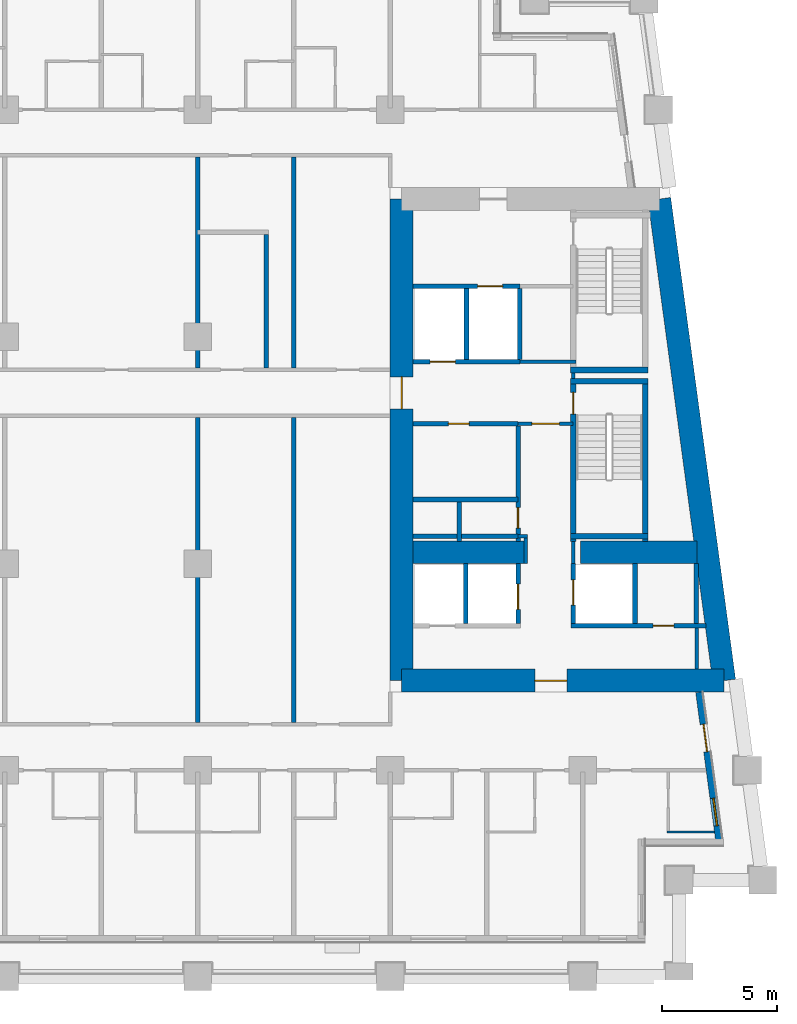
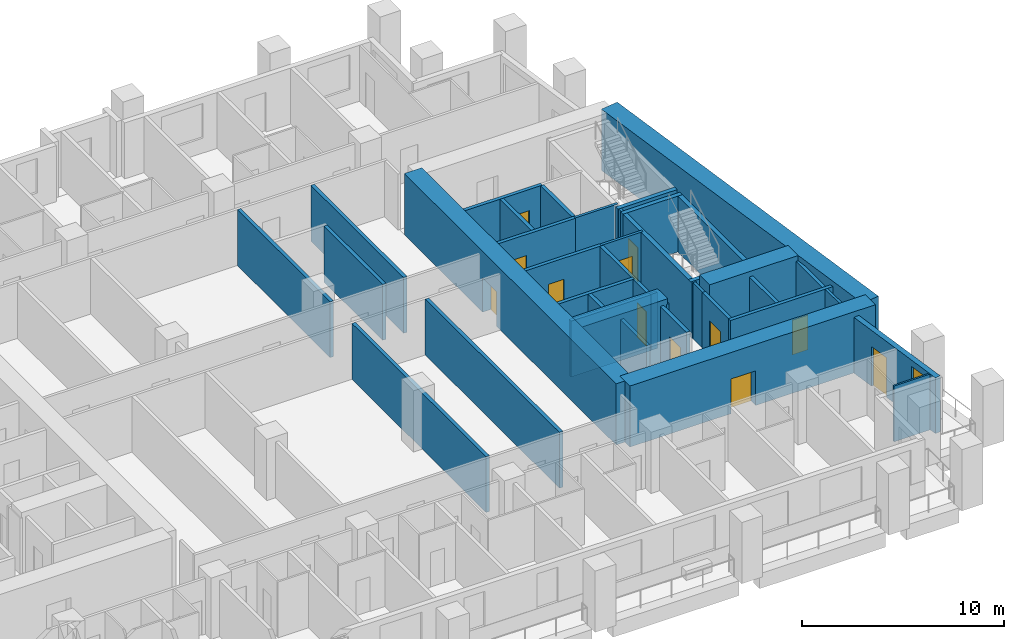
# One storey, part 6 of 14: 39 walls, 12 doors, 1 window, 13 openings.
"""IFC4 building model written with IfcOpenShell, lengths in metres."""

from ifc_helpers import new_model, si_unit, direction, frame, frame_2d, origin, place, context, subcontext, project, spatial, rectangle, extrude, material, layer, layer_set, type_object, element, fill, save


model = new_model("IFC4")

# Units and contexts
model_context = context("Model", 3, precision=1e-05, world=origin(), true_north=direction((0.0, 1.0)))
body_context = subcontext(model_context, "Body", "Model", "MODEL_VIEW")
ifc_project = project(units=[si_unit("LENGTHUNIT", "METRE"), si_unit("AREAUNIT", "SQUARE_METRE"), si_unit("VOLUMEUNIT", "CUBIC_METRE"), si_unit("PLANEANGLEUNIT", "RADIAN"), si_unit("MASSUNIT", "GRAM", prefix="KILO")], contexts=[model_context])

# Site, building, storey
site_placement = place(None, origin())
site = spatial("IfcSite", under=ifc_project, at=site_placement, CompositionType="ELEMENT")
building_placement = place(site_placement, origin())
building = spatial("IfcBuilding", under=site, at=building_placement, Name="Candeia Pilgrim Tower and Theatre", CompositionType="ELEMENT")
storey_placement = place(building_placement, frame((0.0, 0.0, 116.89990234375)))
storey = spatial("IfcBuildingStorey", under=building, at=storey_placement, Name="L27", CompositionType="ELEMENT", Elevation=116.89990234375)

# Wall
ifc_material_1 = material(Name="Concrete C70/85", Category="concrete")
ifc_layer_1 = layer(ifc_material_1, 1.0)
ifc_layer_set_1 = layer_set([ifc_layer_1], Name="Core wall 1000 C70/85")
wall_type_1 = type_object("IfcWallType", Name="Core wall 1000 C70/85", PredefinedType="SHEAR", material=ifc_layer_set_1)
wall_1_placement = place(storey_placement, frame((137.73193359375, 131.89990234375, 0.0), z_axis=(0.0, 0.0, 1.0), x_axis=(0.133411141623, -0.991060778808, 0.0)))
element("IfcWall", 1, at=wall_1_placement, inside=storey, type_object=wall_type_1, Name="Core wall E2", PredefinedType="SHEAR", context=body_context, shape_type="SweptSolid", body=[
    extrude(rectangle(XDim=21.189453125, YDim=1.0, at=frame_2d((10.5947265625, 0.0))), origin(), (0.0, 0.0, 1.0), 3.7001953125),
])

# Wall, opening, door
wall_2_placement = place(storey_placement, frame((140.558837890625, 110.89990234375, 0.0), z_axis=(0.0, 0.0, 1.0), x_axis=(-1.0, 0.0, 0.0)))
wall_2 = element("IfcWall", 2, at=wall_2_placement, inside=storey, type_object=wall_type_1, Name="Core wall E3", PredefinedType="SHEAR", context=body_context, shape_type="SweptSolid", body=[
    extrude(rectangle(XDim=14.058837890625, YDim=1.0, at=frame_2d((7.029296875, 0.0))), origin(), (0.0, 0.0, 1.0), 3.7001953125),
])
opening_1_placement = place(wall_2_placement, frame((6.857666015625, 0.0, 0.0)))
opening_1 = element("IfcOpeningElement", 3, at=opening_1_placement, cuts=wall_2, Name="Opening L27-D069", PredefinedType="OPENING", context=body_context, shape_type="SweptSolid", body=[
    extrude(rectangle(XDim=1.39990234375, YDim=2.10009765625, at=frame_2d((0.699951171875, 1.050048828125))), frame((0.0, 0.510009765625, 0.0), z_axis=(0.0, -1.0, 0.0), x_axis=(1.0, 0.0, 0.0)), (0.0, 0.0, 1.0), 1.02001953125),
])
ifc_material_2 = material(Name="Steel fire door set", Category="steel")
door_type_1 = type_object("IfcDoorType", Name="D-1400-FD60", OperationType="NOTDEFINED", PredefinedType="DOOR", material=ifc_material_2)
door_1_placement = place(opening_1_placement, origin())
door_1 = element("IfcDoor", 4, at=door_1_placement, inside=storey, type_object=door_type_1, Name="Door L27-D069", OperationType="SINGLE_SWING_RIGHT", OverallHeight=2.10009765625, OverallWidth=1.39990234375, PredefinedType="DOOR", context=body_context, shape_type="SweptSolid", body=[
    extrude(rectangle(XDim=1.39990234375, YDim=2.10009765625, at=frame_2d((0.699951171875, 1.050048828125))), frame((0.0, 0.02490234375, 0.0), z_axis=(0.0, -1.0, 0.0), x_axis=(1.0, 0.0, 0.0)), (0.0, 0.0, 1.0), 0.050048828125),
])
fill(opening_1, door_1)

wall_3_placement = place(storey_placement, frame((126.5, 110.89990234375, 0.0), z_axis=(0.0, 0.0, 1.0), x_axis=(0.0, 1.0, 0.0)))
wall_3 = element("IfcWall", 5, at=wall_3_placement, inside=storey, type_object=wall_type_1, Name="Core wall E4", PredefinedType="SHEAR", context=body_context, shape_type="SweptSolid", body=[
    extrude(rectangle(XDim=21.0, YDim=1.0, at=frame_2d((10.5, 0.0))), origin(), (0.0, 0.0, 1.0), 3.7001953125),
])
opening_2_placement = place(wall_3_placement, frame((11.85009765625, 0.0, 0.0)))
opening_2 = element("IfcOpeningElement", 6, at=opening_2_placement, cuts=wall_3, Name="Opening L27-D071", PredefinedType="OPENING", context=body_context, shape_type="SweptSolid", body=[
    extrude(rectangle(XDim=1.39990234375, YDim=2.10009765625, at=frame_2d((0.699951171875, 1.050048828125))), frame((0.0, 0.510009765625, 0.0), z_axis=(0.0, -1.0, 0.0), x_axis=(1.0, 0.0, 0.0)), (0.0, 0.0, 1.0), 1.02001953125),
])
door_2_placement = place(opening_2_placement, origin())
door_2 = element("IfcDoor", 7, at=door_2_placement, inside=storey, type_object=door_type_1, Name="Door L27-D071", OperationType="SINGLE_SWING_RIGHT", OverallHeight=2.10009765625, OverallWidth=1.39990234375, PredefinedType="DOOR", context=body_context, shape_type="SweptSolid", body=[
    extrude(rectangle(XDim=1.39990234375, YDim=2.10009765625, at=frame_2d((0.699951171875, 1.050048828125))), frame((0.0, 0.02490234375, 0.0), z_axis=(0.0, -1.0, 0.0), x_axis=(1.0, 0.0, 0.0)), (0.0, 0.0, 1.0), 0.050048828125),
])
fill(opening_2, door_2)

# Walls
wall_4_placement = place(storey_placement, frame((127.0, 116.5, 0.0), z_axis=(0.0, 0.0, 1.0), x_axis=(1.0, 0.0, 0.0)))
element("IfcWall", 8, at=wall_4_placement, inside=storey, type_object=wall_type_1, Name="Core wall E5", PredefinedType="SHEAR", context=body_context, shape_type="SweptSolid", body=[
    extrude(rectangle(XDim=4.89990234375, YDim=1.0, at=frame_2d((2.449951171875, 0.0))), origin(), (0.0, 0.0, 1.0), 3.7001953125),
])
wall_5_placement = place(storey_placement, frame((134.300048828125, 116.5, 0.0), z_axis=(0.0, 0.0, 1.0), x_axis=(1.0, 0.0, 0.0)))
element("IfcWall", 9, at=wall_5_placement, inside=storey, type_object=wall_type_1, Name="Core wall E6", PredefinedType="SHEAR", context=body_context, shape_type="SweptSolid", body=[
    extrude(rectangle(XDim=5.076904296875, YDim=1.0, at=frame_2d((2.53857421875, 0.0))), origin(), (0.0, 0.0, 1.0), 3.7001953125),
])

# Wall, openings, door, window
ifc_material_3 = material(Name="Ceramic block masonry", Category="masonry")
ifc_layer_2 = layer(ifc_material_3, 0.300048828125)
ifc_layer_set_2 = layer_set([ifc_layer_2], Name="EW1 glazing-line wall 300")
wall_type_2 = type_object("IfcWallType", Name="EW1 glazing-line wall 300", PredefinedType="SOLIDWALL", material=ifc_layer_set_2)
wall_6_placement = place(storey_placement, frame((140.34765625, 103.85009765625, 0.0), z_axis=(0.0, 0.0, 1.0), x_axis=(-0.133431549479, 0.991058031401, 0.0)))
wall_6 = element("IfcWall", 10, at=wall_6_placement, inside=storey, type_object=wall_type_2, Name="External wall L27-3.0", PredefinedType="SOLIDWALL", context=body_context, shape_type="SweptSolid", body=[
    extrude(rectangle(XDim=6.60888671875, YDim=0.300048828125, at=frame_2d((3.304443359375, 0.0))), origin(), (0.0, 0.0, 1.0), 3.380126953125),
])
opening_3_placement = place(wall_6_placement, frame((0.736572265625, 0.0, 0.89990234375)))
opening_3 = element("IfcOpeningElement", 11, at=opening_3_placement, cuts=wall_6, Name="Opening W-B", PredefinedType="OPENING", context=body_context, shape_type="SweptSolid", body=[
    extrude(rectangle(XDim=1.199951171875, YDim=2.10009765625, at=frame_2d((0.60009765625, 1.050048828125))), frame((0.0, 0.16015625, 0.0), z_axis=(0.0, -1.0, 0.0), x_axis=(1.0, 0.0, 0.0)), (0.0, 0.0, 1.0), 0.320068359375),
])
opening_4_placement = place(wall_6_placement, frame((3.990966796875, 0.0, 0.0)))
opening_4 = element("IfcOpeningElement", 12, at=opening_4_placement, cuts=wall_6, Name="Opening L27-ED273", PredefinedType="OPENING", context=body_context, shape_type="SweptSolid", body=[
    extrude(rectangle(XDim=1.199951171875, YDim=2.39990234375, at=frame_2d((0.60009765625, 1.199951171875))), frame((0.0, 0.16015625, 0.0), z_axis=(0.0, -1.0, 0.0), x_axis=(1.0, 0.0, 0.0)), (0.0, 0.0, 1.0), 0.320068359375),
])
ifc_material_4 = material(Name="Aluminium framed glazed door", Category="aluminium")
door_type_2 = type_object("IfcDoorType", Name="Loggia door 1200x2400", OperationType="DOUBLE_DOOR_SINGLE_SWING", PredefinedType="DOOR", material=ifc_material_4)
door_3_placement = place(opening_4_placement, origin())
door_3 = element("IfcDoor", 13, at=door_3_placement, inside=storey, type_object=door_type_2, Name="Loggia door L27-ED273", OperationType="DOUBLE_DOOR_SINGLE_SWING", OverallHeight=2.39990234375, OverallWidth=1.199951171875, PredefinedType="DOOR", context=body_context, shape_type="SweptSolid", body=[
    extrude(rectangle(XDim=1.199951171875, YDim=2.39990234375, at=frame_2d((0.60009765625, 1.199951171875))), frame((0.0, 0.02490234375, 0.0), z_axis=(0.0, -1.0, 0.0), x_axis=(1.0, 0.0, 0.0)), (0.0, 0.0, 1.0), 0.050048828125),
])
fill(opening_4, door_3)
ifc_material_5 = material(Name="Aluminium framed double glazing", Category="aluminium")
window_type = type_object("IfcWindowType", Name="W-B window 1200x2100", PartitioningType="SINGLE_PANEL", PredefinedType="WINDOW", material=ifc_material_5)
window_placement = place(opening_3_placement, origin())
window = element("IfcWindow", 14, at=window_placement, inside=storey, type_object=window_type, Name="Window W-B L27", OverallHeight=2.10009765625, OverallWidth=1.199951171875, PartitioningType="SINGLE_PANEL", PredefinedType="WINDOW", context=body_context, shape_type="SweptSolid", body=[
    extrude(rectangle(XDim=1.199951171875, YDim=2.10009765625, at=frame_2d((0.60009765625, 1.050048828125))), frame((0.0, 0.030029296875, 0.0), z_axis=(0.0, -1.0, 0.0), x_axis=(1.0, 0.0, 0.0)), (0.0, 0.0, 1.0), 0.06005859375),
])
fill(opening_3, window)

# Walls
ifc_material_6 = material(Name="Gypsum board partition on steel studs", Category="steel")
ifc_layer_3 = layer(ifc_material_6, 0.10009765625)
ifc_layer_set_3 = layer_set([ifc_layer_3], Name="PW-100 room partition")
wall_type_3 = type_object("IfcWallType", Name="PW-100 room partition", PredefinedType="PARTITIONING", material=ifc_layer_set_3)
wall_7_placement = place(storey_placement, frame((138.070068359375, 104.300048828125, 0.0), z_axis=(0.0, 0.0, 1.0), x_axis=(1.0, 0.0, 0.0)))
element("IfcWall", 15, at=wall_7_placement, inside=storey, type_object=wall_type_3, Name="Room partition L27-003", PredefinedType="PARTITIONING", context=body_context, shape_type="SweptSolid", body=[
    extrude(rectangle(XDim=2.07568359375, YDim=0.10009765625, at=frame_2d((1.037841796875, 0.0))), origin(), (0.0, 0.0, 1.0), 3.380126953125),
])
ifc_layer_4 = layer(ifc_material_6, 0.14990234375)
ifc_layer_set_4 = layer_set([ifc_layer_4], Name="PW-150 lobby wall")
wall_type_4 = type_object("IfcWallType", Name="PW-150 lobby wall", PredefinedType="PARTITIONING", material=ifc_layer_set_4)
wall_8_placement = place(storey_placement, frame((131.572998046875, 117.199951171875, 0.0), z_axis=(0.0, 0.0, 1.0), x_axis=(1.0, 0.0, 0.0)))
element("IfcWall", 16, at=wall_8_placement, inside=storey, type_object=wall_type_4, Name="Lobby wall L27-021", PredefinedType="PARTITIONING", context=body_context, shape_type="SweptSolid", body=[
    extrude(rectangle(XDim=0.402099609375, YDim=0.14990234375, at=frame_2d((0.201171875, 0.0))), origin(), (0.0, 0.0, 1.0), 3.380126953125),
])

# Wall, opening, door
wall_9_placement = place(storey_placement, frame((131.572998046875, 122.10009765625, 0.0), z_axis=(0.0, 0.0, 1.0), x_axis=(1.0, 0.0, 0.0)))
wall_9 = element("IfcWall", 17, at=wall_9_placement, inside=storey, type_object=wall_type_4, Name="Lobby wall L27-029", PredefinedType="PARTITIONING", context=body_context, shape_type="SweptSolid", body=[
    extrude(rectangle(XDim=2.39990234375, YDim=0.14990234375, at=frame_2d((1.199951171875, 0.0))), origin(), (0.0, 0.0, 1.0), 3.380126953125),
])
opening_5_placement = place(wall_9_placement, frame((0.60009765625, 0.0, 0.0)))
opening_5 = element("IfcOpeningElement", 18, at=opening_5_placement, cuts=wall_9, Name="Opening L27-D008", PredefinedType="OPENING", context=body_context, shape_type="SweptSolid", body=[
    extrude(rectangle(XDim=1.199951171875, YDim=2.10009765625, at=frame_2d((0.60009765625, 1.050048828125))), frame((0.0, 0.0849609375, 0.0), z_axis=(0.0, -1.0, 0.0), x_axis=(1.0, 0.0, 0.0)), (0.0, 0.0, 1.0), 0.169921875),
])
door_type_3 = type_object("IfcDoorType", Name="D-1200-FD60", OperationType="NOTDEFINED", PredefinedType="DOOR", material=ifc_material_2)
door_4_placement = place(opening_5_placement, origin())
door_4 = element("IfcDoor", 19, at=door_4_placement, inside=storey, type_object=door_type_3, Name="Door L27-D008", OperationType="SINGLE_SWING_RIGHT", OverallHeight=2.10009765625, OverallWidth=1.199951171875, PredefinedType="DOOR", context=body_context, shape_type="SweptSolid", body=[
    extrude(rectangle(XDim=1.199951171875, YDim=2.10009765625, at=frame_2d((0.60009765625, 1.050048828125))), frame((0.0, 0.02490234375, 0.0), z_axis=(0.0, -1.0, 0.0), x_axis=(1.0, 0.0, 0.0)), (0.0, 0.0, 1.0), 0.050048828125),
])
fill(opening_5, door_4)

# Walls
wall_10_placement = place(storey_placement, frame((131.648681640625, 124.800048828125, 0.0), z_axis=(0.0, 0.0, 1.0), x_axis=(1.0, 0.0, 0.0)))
element("IfcWall", 20, at=wall_10_placement, inside=storey, type_object=wall_type_4, Name="Lobby wall L27-038", PredefinedType="PARTITIONING", context=body_context, shape_type="SweptSolid", body=[
    extrude(rectangle(XDim=2.44921875, YDim=0.14990234375, at=frame_2d((1.224609375, 0.0))), origin(), (0.0, 0.0, 1.0), 3.380126953125),
])
wall_11_placement = place(storey_placement, frame((131.89990234375, 116.0, 0.0), z_axis=(0.0, 0.0, 1.0), x_axis=(0.0, 1.0, 0.0)))
element("IfcWall", 21, at=wall_11_placement, inside=storey, type_object=wall_type_4, Name="Lobby wall L27-124", PredefinedType="PARTITIONING", context=body_context, shape_type="SweptSolid", body=[
    extrude(rectangle(XDim=1.125, YDim=0.14990234375, at=frame_2d((0.5625, 0.0))), origin(), (0.0, 0.0, 1.0), 3.380126953125),
])
wall_12_placement = place(storey_placement, frame((133.972900390625, 116.0, 0.0), z_axis=(0.0, 0.0, 1.0), x_axis=(0.0, 1.0, 0.0)))
element("IfcWall", 22, at=wall_12_placement, inside=storey, type_object=wall_type_4, Name="Lobby wall L27-128", PredefinedType="PARTITIONING", context=body_context, shape_type="SweptSolid", body=[
    extrude(rectangle(XDim=0.969970703125, YDim=0.14990234375, at=frame_2d((0.48486328125, 0.0))), origin(), (0.0, 0.0, 1.0), 3.380126953125),
])
wall_13_placement = place(storey_placement, frame((133.972900390625, 124.074951171875, 0.0), z_axis=(0.0, 0.0, 1.0), x_axis=(0.0, 1.0, 0.0)))
element("IfcWall", 23, at=wall_13_placement, inside=storey, type_object=wall_type_4, Name="Lobby wall L27-129", PredefinedType="PARTITIONING", context=body_context, shape_type="SweptSolid", body=[
    extrude(rectangle(XDim=0.25, YDim=0.14990234375, at=frame_2d((0.125, 0.0))), origin(), (0.0, 0.0, 1.0), 3.380126953125),
])
wall_14_placement = place(storey_placement, frame((139.37109375, 111.39990234375, 0.0), z_axis=(0.0, 0.0, 1.0), x_axis=(0.0, 1.0, 0.0)))
element("IfcWall", 24, at=wall_14_placement, inside=storey, type_object=wall_type_4, Name="Lobby wall L27-138", PredefinedType="PARTITIONING", context=body_context, shape_type="SweptSolid", body=[
    extrude(rectangle(XDim=1.800048828125, YDim=0.14990234375, at=frame_2d((0.89990234375, 0.0))), origin(), (0.0, 0.0, 1.0), 3.380126953125),
])
ifc_layer_5 = layer(ifc_material_6, 0.199951171875)
ifc_layer_set_5 = layer_set([ifc_layer_5], Name="PW-200 party wall")
wall_type_5 = type_object("IfcWallType", Name="PW-200 party wall", PredefinedType="PARTITIONING", material=ifc_layer_set_5)
wall_15_placement = place(storey_placement, frame((117.60009765625, 109.074951171875, 0.0), z_axis=(0.0, 0.0, 1.0), x_axis=(0.0, 1.0, 0.0)))
element("IfcWall", 25, at=wall_15_placement, inside=storey, type_object=wall_type_5, Name="Party wall L27-099", PredefinedType="PARTITIONING", context=body_context, shape_type="SweptSolid", body=[
    extrude(rectangle(XDim=13.300048828125, YDim=0.199951171875, at=frame_2d((6.64990234375, 0.0))), origin(), (0.0, 0.0, 1.0), 3.380126953125),
])
wall_16_placement = place(storey_placement, frame((117.60009765625, 124.52490234375, 0.0), z_axis=(0.0, 0.0, 1.0), x_axis=(0.0, 1.0, 0.0)))
element("IfcWall", 26, at=wall_16_placement, inside=storey, type_object=wall_type_5, Name="Party wall L27-100", PredefinedType="PARTITIONING", context=body_context, shape_type="SweptSolid", body=[
    extrude(rectangle(XDim=9.2001953125, YDim=0.199951171875, at=frame_2d((4.60009765625, 0.0))), origin(), (0.0, 0.0, 1.0), 3.380126953125),
])
wall_17_placement = place(storey_placement, frame((120.60009765625, 124.52490234375, 0.0), z_axis=(0.0, 0.0, 1.0), x_axis=(0.0, 1.0, 0.0)))
element("IfcWall", 27, at=wall_17_placement, inside=storey, type_object=wall_type_5, Name="Party wall L27-104", PredefinedType="PARTITIONING", context=body_context, shape_type="SweptSolid", body=[
    extrude(rectangle(XDim=5.8251953125, YDim=0.199951171875, at=frame_2d((2.91259765625, 0.0))), origin(), (0.0, 0.0, 1.0), 3.380126953125),
])
wall_18_placement = place(storey_placement, frame((121.800048828125, 109.074951171875, 0.0), z_axis=(0.0, 0.0, 1.0), x_axis=(0.0, 1.0, 0.0)))
element("IfcWall", 28, at=wall_18_placement, inside=storey, type_object=wall_type_5, Name="Party wall L27-106", PredefinedType="PARTITIONING", context=body_context, shape_type="SweptSolid", body=[
    extrude(rectangle(XDim=13.300048828125, YDim=0.199951171875, at=frame_2d((6.64990234375, 0.0))), origin(), (0.0, 0.0, 1.0), 3.380126953125),
])
wall_19_placement = place(storey_placement, frame((121.800048828125, 124.52490234375, 0.0), z_axis=(0.0, 0.0, 1.0), x_axis=(0.0, 1.0, 0.0)))
element("IfcWall", 29, at=wall_19_placement, inside=storey, type_object=wall_type_5, Name="Party wall L27-107", PredefinedType="PARTITIONING", context=body_context, shape_type="SweptSolid", body=[
    extrude(rectangle(XDim=9.2001953125, YDim=0.199951171875, at=frame_2d((4.60009765625, 0.0))), origin(), (0.0, 0.0, 1.0), 3.380126953125),
])

# Wall, opening, door
ifc_material_7 = material(Name="Concrete C40/50", Category="concrete")
ifc_layer_6 = layer(ifc_material_7, 0.199951171875)
ifc_layer_set_6 = layer_set([ifc_layer_6], Name="SW-200 shaft wall")
wall_type_6 = type_object("IfcWallType", Name="SW-200 shaft wall", PredefinedType="PARTITIONING", material=ifc_layer_set_6)
wall_20_placement = place(storey_placement, frame((133.873046875, 113.300048828125, 0.0), z_axis=(0.0, 0.0, 1.0), x_axis=(1.0, 0.0, 0.0)))
wall_20 = element("IfcWall", 30, at=wall_20_placement, inside=storey, type_object=wall_type_6, Name="Shaft wall L27-017", PredefinedType="PARTITIONING", context=body_context, shape_type="SweptSolid", body=[
    extrude(rectangle(XDim=5.888427734375, YDim=0.199951171875, at=frame_2d((2.9443359375, 0.0))), origin(), (0.0, 0.0, 1.0), 3.380126953125),
])
opening_6_placement = place(wall_20_placement, frame((3.589111328125, 0.0, 0.0)))
opening_6 = element("IfcOpeningElement", 31, at=opening_6_placement, cuts=wall_20, Name="Opening L27-D013", PredefinedType="OPENING", context=body_context, shape_type="SweptSolid", body=[
    extrude(rectangle(XDim=0.89990234375, YDim=2.10009765625, at=frame_2d((0.449951171875, 1.050048828125))), frame((0.0, 0.10986328125, 0.0), z_axis=(0.0, -1.0, 0.0), x_axis=(1.0, 0.0, 0.0)), (0.0, 0.0, 1.0), 0.219970703125),
])
door_type_4 = type_object("IfcDoorType", Name="D-900-FD60", OperationType="NOTDEFINED", PredefinedType="DOOR", material=ifc_material_2)
door_5_placement = place(opening_6_placement, origin())
door_5 = element("IfcDoor", 32, at=door_5_placement, inside=storey, type_object=door_type_4, Name="Door L27-D013", OperationType="SINGLE_SWING_RIGHT", OverallHeight=2.10009765625, OverallWidth=0.89990234375, PredefinedType="DOOR", context=body_context, shape_type="SweptSolid", body=[
    extrude(rectangle(XDim=0.89990234375, YDim=2.10009765625, at=frame_2d((0.449951171875, 1.050048828125))), frame((0.0, 0.02490234375, 0.0), z_axis=(0.0, -1.0, 0.0), x_axis=(1.0, 0.0, 0.0)), (0.0, 0.0, 1.0), 0.050048828125),
])
fill(opening_6, door_5)

# Walls
for number, where, z_axis, x_axis, name in (
    (33, (127.0, 117.199951171875, 0.0), (0.0, 0.0, 1.0), (1.0, 0.0, 0.0), "Shaft wall L27-019"),
    (34, (127.0, 118.800048828125, 0.0), (0.0, 0.0, 1.0), (1.0, 0.0, 0.0), "Shaft wall L27-025"),
):
    element("IfcWall", number, at=place(storey_placement, frame(where, z_axis=z_axis, x_axis=x_axis)), inside=storey, type_object=wall_type_6, Name=name, PredefinedType="PARTITIONING", context=body_context, shape_type="SweptSolid", body=[
        extrude(rectangle(XDim=4.572998046875, YDim=0.199951171875, at=frame_2d((2.28662109375, 0.0))), origin(), (0.0, 0.0, 1.0), 3.380126953125),
    ])

# Wall, opening, door
wall_21_placement = place(storey_placement, frame((127.0, 122.10009765625, 0.0), z_axis=(0.0, 0.0, 1.0), x_axis=(1.0, 0.0, 0.0)))
wall_21 = element("IfcWall", 35, at=wall_21_placement, inside=storey, type_object=wall_type_6, Name="Shaft wall L27-027", PredefinedType="PARTITIONING", context=body_context, shape_type="SweptSolid", body=[
    extrude(rectangle(XDim=4.572998046875, YDim=0.199951171875, at=frame_2d((2.28662109375, 0.0))), origin(), (0.0, 0.0, 1.0), 3.380126953125),
])
opening_7_placement = place(wall_21_placement, frame((1.5390625, 0.0, 0.0)))
opening_7 = element("IfcOpeningElement", 36, at=opening_7_placement, cuts=wall_21, Name="Opening L27-D009", PredefinedType="OPENING", context=body_context, shape_type="SweptSolid", body=[
    extrude(rectangle(XDim=0.89990234375, YDim=2.10009765625, at=frame_2d((0.449951171875, 1.050048828125))), frame((0.0, 0.10986328125, 0.0), z_axis=(0.0, -1.0, 0.0), x_axis=(1.0, 0.0, 0.0)), (0.0, 0.0, 1.0), 0.219970703125),
])
door_6_placement = place(opening_7_placement, origin())
door_6 = element("IfcDoor", 37, at=door_6_placement, inside=storey, type_object=door_type_4, Name="Door L27-D009", OperationType="SINGLE_SWING_LEFT", OverallHeight=2.10009765625, OverallWidth=0.89990234375, PredefinedType="DOOR", context=body_context, shape_type="SweptSolid", body=[
    extrude(rectangle(XDim=0.89990234375, YDim=2.10009765625, at=frame_2d((0.449951171875, 1.050048828125))), frame((0.0, 0.02490234375, 0.0), z_axis=(0.0, -1.0, 0.0), x_axis=(1.0, 0.0, 0.0)), (0.0, 0.0, 1.0), 0.050048828125),
])
fill(opening_7, door_6)

wall_22_placement = place(storey_placement, frame((127.0, 124.800048828125, 0.0), z_axis=(0.0, 0.0, 1.0), x_axis=(1.0, 0.0, 0.0)))
wall_22 = element("IfcWall", 38, at=wall_22_placement, inside=storey, type_object=wall_type_6, Name="Shaft wall L27-037", PredefinedType="PARTITIONING", context=body_context, shape_type="SweptSolid", body=[
    extrude(rectangle(XDim=4.648681640625, YDim=0.199951171875, at=frame_2d((2.32421875, 0.0))), origin(), (0.0, 0.0, 1.0), 3.380126953125),
])
opening_8_placement = place(wall_22_placement, frame((0.742919921875, 0.0, 0.0)))
opening_8 = element("IfcOpeningElement", 39, at=opening_8_placement, cuts=wall_22, Name="Opening L27-LD05", PredefinedType="OPENING", context=body_context, shape_type="SweptSolid", body=[
    extrude(rectangle(XDim=1.10009765625, YDim=2.10009765625, at=frame_2d((0.550048828125, 1.050048828125))), frame((0.0, 0.10986328125, 0.0), z_axis=(0.0, -1.0, 0.0), x_axis=(1.0, 0.0, 0.0)), (0.0, 0.0, 1.0), 0.219970703125),
])
ifc_material_8 = material(Name="Glazed aluminium landing door", Category="aluminium")
door_type_5 = type_object("IfcDoorType", Name="LD-1100-EI120", OperationType="SLIDING_TO_LEFT", PredefinedType="DOOR", material=ifc_material_8)
door_7_placement = place(opening_8_placement, origin())
door_7 = element("IfcDoor", 40, at=door_7_placement, inside=storey, type_object=door_type_5, Name="Landing door 05 L27", OperationType="SLIDING_TO_LEFT", OverallHeight=2.10009765625, OverallWidth=1.10009765625, PredefinedType="DOOR", context=body_context, shape_type="SweptSolid", body=[
    extrude(rectangle(XDim=1.10009765625, YDim=2.10009765625, at=frame_2d((0.550048828125, 1.050048828125))), frame((0.0, 0.02490234375, 0.0), z_axis=(0.0, -1.0, 0.0), x_axis=(1.0, 0.0, 0.0)), (0.0, 0.0, 1.0), 0.050048828125),
])
fill(opening_8, door_7)

wall_23_placement = place(storey_placement, frame((127.0, 128.10009765625, 0.0), z_axis=(0.0, 0.0, 1.0), x_axis=(1.0, 0.0, 0.0)))
wall_23 = element("IfcWall", 41, at=wall_23_placement, inside=storey, type_object=wall_type_6, Name="Shaft wall L27-040", PredefinedType="PARTITIONING", context=body_context, shape_type="SweptSolid", body=[
    extrude(rectangle(XDim=4.648681640625, YDim=0.199951171875, at=frame_2d((2.32421875, 0.0))), origin(), (0.0, 0.0, 1.0), 3.380126953125),
])
opening_9_placement = place(wall_23_placement, frame((2.804931640625, 0.0, 0.0)))
opening_9 = element("IfcOpeningElement", 42, at=opening_9_placement, cuts=wall_23, Name="Opening L27-LD04", PredefinedType="OPENING", context=body_context, shape_type="SweptSolid", body=[
    extrude(rectangle(XDim=1.10009765625, YDim=2.10009765625, at=frame_2d((0.550048828125, 1.050048828125))), frame((0.0, 0.10986328125, 0.0), z_axis=(0.0, -1.0, 0.0), x_axis=(1.0, 0.0, 0.0)), (0.0, 0.0, 1.0), 0.219970703125),
])
door_8_placement = place(opening_9_placement, origin())
door_8 = element("IfcDoor", 43, at=door_8_placement, inside=storey, type_object=door_type_5, Name="Landing door 04 L27", OperationType="SLIDING_TO_LEFT", OverallHeight=2.10009765625, OverallWidth=1.10009765625, PredefinedType="DOOR", context=body_context, shape_type="SweptSolid", body=[
    extrude(rectangle(XDim=1.10009765625, YDim=2.10009765625, at=frame_2d((0.550048828125, 1.050048828125))), frame((0.0, 0.02490234375, 0.0), z_axis=(0.0, -1.0, 0.0), x_axis=(1.0, 0.0, 0.0)), (0.0, 0.0, 1.0), 0.050048828125),
])
fill(opening_9, door_8)

# Walls
wall_24_placement = place(storey_placement, frame((129.0, 116.969970703125, 0.0), z_axis=(0.0, 0.0, 1.0), x_axis=(0.0, 1.0, 0.0)))
element("IfcWall", 44, at=wall_24_placement, inside=storey, type_object=wall_type_6, Name="Shaft wall L27-116", PredefinedType="PARTITIONING", context=body_context, shape_type="SweptSolid", body=[
    extrude(rectangle(XDim=1.72998046875, YDim=0.199951171875, at=frame_2d((0.864990234375, 0.0))), origin(), (0.0, 0.0, 1.0), 3.380126953125),
])
wall_25_placement = place(storey_placement, frame((129.28662109375, 113.39990234375, 0.0), z_axis=(0.0, 0.0, 1.0), x_axis=(0.0, 1.0, 0.0)))
element("IfcWall", 45, at=wall_25_placement, inside=storey, type_object=wall_type_6, Name="Shaft wall L27-117", PredefinedType="PARTITIONING", context=body_context, shape_type="SweptSolid", body=[
    extrude(rectangle(XDim=2.60009765625, YDim=0.199951171875, at=frame_2d((1.300048828125, 0.0))), origin(), (0.0, 0.0, 1.0), 3.380126953125),
])
wall_26_placement = place(storey_placement, frame((129.32421875, 124.89990234375, 0.0), z_axis=(0.0, 0.0, 1.0), x_axis=(0.0, 1.0, 0.0)))
element("IfcWall", 46, at=wall_26_placement, inside=storey, type_object=wall_type_6, Name="Shaft wall L27-118", PredefinedType="PARTITIONING", context=body_context, shape_type="SweptSolid", body=[
    extrude(rectangle(XDim=3.10009765625, YDim=0.199951171875, at=frame_2d((1.550048828125, 0.0))), origin(), (0.0, 0.0, 1.0), 3.380126953125),
])

# Wall, opening, door
wall_27_placement = place(storey_placement, frame((131.572998046875, 113.39990234375, 0.0), z_axis=(0.0, 0.0, 1.0), x_axis=(0.0, 1.0, 0.0)))
wall_27 = element("IfcWall", 47, at=wall_27_placement, inside=storey, type_object=wall_type_6, Name="Shaft wall L27-121", PredefinedType="PARTITIONING", context=body_context, shape_type="SweptSolid", body=[
    extrude(rectangle(XDim=2.60009765625, YDim=0.199951171875, at=frame_2d((1.300048828125, 0.0))), origin(), (0.0, 0.0, 1.0), 3.380126953125),
])
opening_10_placement = place(wall_27_placement, frame((0.610107421875, 0.0, 0.0)))
opening_10 = element("IfcOpeningElement", 48, at=opening_10_placement, cuts=wall_27, Name="Opening L27-LD07", PredefinedType="OPENING", context=body_context, shape_type="SweptSolid", body=[
    extrude(rectangle(XDim=1.10009765625, YDim=2.10009765625, at=frame_2d((0.550048828125, 1.050048828125))), frame((0.0, 0.10986328125, 0.0), z_axis=(0.0, -1.0, 0.0), x_axis=(1.0, 0.0, 0.0)), (0.0, 0.0, 1.0), 0.219970703125),
])
door_9_placement = place(opening_10_placement, origin())
door_9 = element("IfcDoor", 49, at=door_9_placement, inside=storey, type_object=door_type_5, Name="Landing door 07 L27", OperationType="SLIDING_TO_LEFT", OverallHeight=2.10009765625, OverallWidth=1.10009765625, PredefinedType="DOOR", context=body_context, shape_type="SweptSolid", body=[
    extrude(rectangle(XDim=1.10009765625, YDim=2.10009765625, at=frame_2d((0.550048828125, 1.050048828125))), frame((0.0, 0.02490234375, 0.0), z_axis=(0.0, -1.0, 0.0), x_axis=(1.0, 0.0, 0.0)), (0.0, 0.0, 1.0), 0.050048828125),
])
fill(opening_10, door_9)

wall_28_placement = place(storey_placement, frame((131.572998046875, 116.969970703125, 0.0), z_axis=(0.0, 0.0, 1.0), x_axis=(0.0, 1.0, 0.0)))
wall_28 = element("IfcWall", 50, at=wall_28_placement, inside=storey, type_object=wall_type_6, Name="Shaft wall L27-122", PredefinedType="PARTITIONING", context=body_context, shape_type="SweptSolid", body=[
    extrude(rectangle(XDim=5.030029296875, YDim=0.199951171875, at=frame_2d((2.51513671875, 0.0))), origin(), (0.0, 0.0, 1.0), 3.380126953125),
])
opening_11_placement = place(wall_28_placement, frame((0.580078125, 0.0, 0.0)))
opening_11 = element("IfcOpeningElement", 51, at=opening_11_placement, cuts=wall_28, Name="Opening L27-D012", PredefinedType="OPENING", context=body_context, shape_type="SweptSolid", body=[
    extrude(rectangle(XDim=0.89990234375, YDim=2.10009765625, at=frame_2d((0.449951171875, 1.050048828125))), frame((0.0, 0.10986328125, 0.0), z_axis=(0.0, -1.0, 0.0), x_axis=(1.0, 0.0, 0.0)), (0.0, 0.0, 1.0), 0.219970703125),
])
door_10_placement = place(opening_11_placement, origin())
door_10 = element("IfcDoor", 52, at=door_10_placement, inside=storey, type_object=door_type_4, Name="Door L27-D012", OperationType="SINGLE_SWING_RIGHT", OverallHeight=2.10009765625, OverallWidth=0.89990234375, PredefinedType="DOOR", context=body_context, shape_type="SweptSolid", body=[
    extrude(rectangle(XDim=0.89990234375, YDim=2.10009765625, at=frame_2d((0.449951171875, 1.050048828125))), frame((0.0, 0.02490234375, 0.0), z_axis=(0.0, -1.0, 0.0), x_axis=(1.0, 0.0, 0.0)), (0.0, 0.0, 1.0), 0.050048828125),
])
fill(opening_11, door_10)

# Wall
wall_29_placement = place(storey_placement, frame((131.648681640625, 124.89990234375, 0.0), z_axis=(0.0, 0.0, 1.0), x_axis=(0.0, 1.0, 0.0)))
element("IfcWall", 53, at=wall_29_placement, inside=storey, type_object=wall_type_6, Name="Shaft wall L27-123", PredefinedType="PARTITIONING", context=body_context, shape_type="SweptSolid", body=[
    extrude(rectangle(XDim=3.10009765625, YDim=0.199951171875, at=frame_2d((1.550048828125, 0.0))), origin(), (0.0, 0.0, 1.0), 3.380126953125),
])

# Wall, opening, door
wall_30_placement = place(storey_placement, frame((133.972900390625, 113.39990234375, 0.0), z_axis=(0.0, 0.0, 1.0), x_axis=(0.0, 1.0, 0.0)))
wall_30 = element("IfcWall", 54, at=wall_30_placement, inside=storey, type_object=wall_type_6, Name="Shaft wall L27-127", PredefinedType="PARTITIONING", context=body_context, shape_type="SweptSolid", body=[
    extrude(rectangle(XDim=2.60009765625, YDim=0.199951171875, at=frame_2d((1.300048828125, 0.0))), origin(), (0.0, 0.0, 1.0), 3.380126953125),
])
opening_12_placement = place(wall_30_placement, frame((0.7900390625, 0.0, 0.0)))
opening_12 = element("IfcOpeningElement", 55, at=opening_12_placement, cuts=wall_30, Name="Opening L27-LD06", PredefinedType="OPENING", context=body_context, shape_type="SweptSolid", body=[
    extrude(rectangle(XDim=1.10009765625, YDim=2.10009765625, at=frame_2d((0.550048828125, 1.050048828125))), frame((0.0, 0.10986328125, 0.0), z_axis=(0.0, -1.0, 0.0), x_axis=(1.0, 0.0, 0.0)), (0.0, 0.0, 1.0), 0.219970703125),
])
door_11_placement = place(opening_12_placement, origin())
door_11 = element("IfcDoor", 56, at=door_11_placement, inside=storey, type_object=door_type_5, Name="Landing door 06 L27", OperationType="SLIDING_TO_LEFT", OverallHeight=2.10009765625, OverallWidth=1.10009765625, PredefinedType="DOOR", context=body_context, shape_type="SweptSolid", body=[
    extrude(rectangle(XDim=1.10009765625, YDim=2.10009765625, at=frame_2d((0.550048828125, 1.050048828125))), frame((0.0, 0.02490234375, 0.0), z_axis=(0.0, -1.0, 0.0), x_axis=(1.0, 0.0, 0.0)), (0.0, 0.0, 1.0), 0.050048828125),
])
fill(opening_12, door_11)

# Walls
for number, where, z_axis, x_axis, name in (
    (57, (136.672119140625, 113.39990234375, 0.0), (0.0, 0.0, 1.0), (0.0, 1.0, 0.0), "Shaft wall L27-133"),
    (58, (139.348876953125, 113.39990234375, 0.0), (0.0, 0.0, 1.0), (0.0, 1.0, 0.0), "Shaft wall L27-137"),
):
    element("IfcWall", number, at=place(storey_placement, frame(where, z_axis=z_axis, x_axis=x_axis)), inside=storey, type_object=wall_type_6, Name=name, PredefinedType="PARTITIONING", context=body_context, shape_type="SweptSolid", body=[
        extrude(rectangle(XDim=2.60009765625, YDim=0.199951171875, at=frame_2d((1.300048828125, 0.0))), origin(), (0.0, 0.0, 1.0), 3.380126953125),
    ])
ifc_layer_7 = layer(ifc_material_7, 0.25)
ifc_layer_set_7 = layer_set([ifc_layer_7], Name="SW-250 stair wall")
wall_type_7 = type_object("IfcWallType", Name="SW-250 stair wall", PredefinedType="PARTITIONING", material=ifc_layer_set_7)
for number, where, z_axis, x_axis, name in (
    (59, (133.847900390625, 117.199951171875, 0.0), (0.0, 0.0, 1.0), (1.0, 0.0, 0.0), "Stair wall L27-023"),
    (60, (133.847900390625, 123.949951171875, 0.0), (0.0, 0.0, 1.0), (1.0, 0.0, 0.0), "Stair wall L27-032"),
    (61, (133.847900390625, 124.449951171875, 0.0), (0.0, 0.0, 1.0), (1.0, 0.0, 0.0), "Stair wall L27-034"),
):
    element("IfcWall", number, at=place(storey_placement, frame(where, z_axis=z_axis, x_axis=x_axis)), inside=storey, type_object=wall_type_7, Name=name, PredefinedType="PARTITIONING", context=body_context, shape_type="SweptSolid", body=[
        extrude(rectangle(XDim=3.400146484375, YDim=0.25, at=frame_2d((1.7001953125, 0.0))), origin(), (0.0, 0.0, 1.0), 3.380126953125),
    ])

# Wall, opening, door
wall_31_placement = place(storey_placement, frame((133.972900390625, 116.969970703125, 0.0), z_axis=(0.0, 0.0, 1.0), x_axis=(0.0, 1.0, 0.0)))
wall_31 = element("IfcWall", 62, at=wall_31_placement, inside=storey, type_object=wall_type_7, Name="Stair wall L27-130", PredefinedType="PARTITIONING", context=body_context, shape_type="SweptSolid", body=[
    extrude(rectangle(XDim=6.85498046875, YDim=0.25, at=frame_2d((3.427490234375, 0.0))), origin(), (0.0, 0.0, 1.0), 3.380126953125),
])
opening_13_placement = place(wall_31_placement, frame((5.554931640625, 0.0, 0.0)))
opening_13 = element("IfcOpeningElement", 63, at=opening_13_placement, cuts=wall_31, Name="Opening L27-D010", PredefinedType="OPENING", context=body_context, shape_type="SweptSolid", body=[
    extrude(rectangle(XDim=0.949951171875, YDim=2.10009765625, at=frame_2d((0.47509765625, 1.050048828125))), frame((0.0, 0.135009765625, 0.0), z_axis=(0.0, -1.0, 0.0), x_axis=(1.0, 0.0, 0.0)), (0.0, 0.0, 1.0), 0.27001953125),
])
door_type_6 = type_object("IfcDoorType", Name="D-950-FD60", OperationType="NOTDEFINED", PredefinedType="DOOR", material=ifc_material_2)
door_12_placement = place(opening_13_placement, origin())
door_12 = element("IfcDoor", 64, at=door_12_placement, inside=storey, type_object=door_type_6, Name="Door L27-D010", OperationType="SINGLE_SWING_RIGHT", OverallHeight=2.10009765625, OverallWidth=0.949951171875, PredefinedType="DOOR", context=body_context, shape_type="SweptSolid", body=[
    extrude(rectangle(XDim=0.949951171875, YDim=2.10009765625, at=frame_2d((0.47509765625, 1.050048828125))), frame((0.0, 0.02490234375, 0.0), z_axis=(0.0, -1.0, 0.0), x_axis=(1.0, 0.0, 0.0)), (0.0, 0.0, 1.0), 0.050048828125),
])
fill(opening_13, door_12)

# Wall
wall_32_placement = place(storey_placement, frame((137.123046875, 116.969970703125, 0.0), z_axis=(0.0, 0.0, 1.0), x_axis=(0.0, 1.0, 0.0)))
element("IfcWall", 65, at=wall_32_placement, inside=storey, type_object=wall_type_7, Name="Stair wall L27-134", PredefinedType="PARTITIONING", context=body_context, shape_type="SweptSolid", body=[
    extrude(rectangle(XDim=6.85498046875, YDim=0.25, at=frame_2d((3.427490234375, 0.0))), origin(), (0.0, 0.0, 1.0), 3.380126953125),
])

save(model, "model.ifc")
